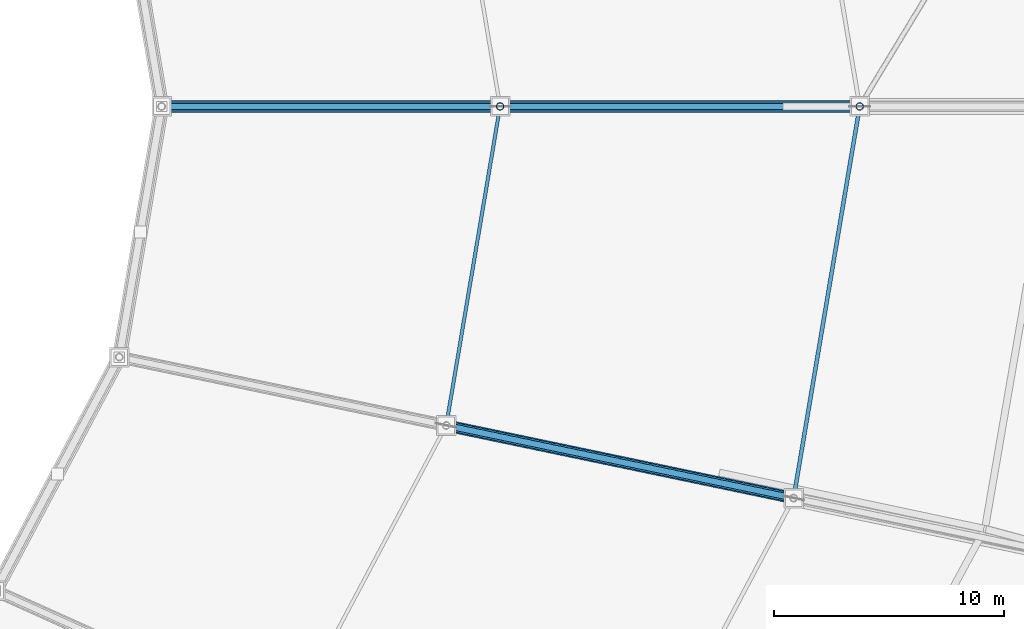
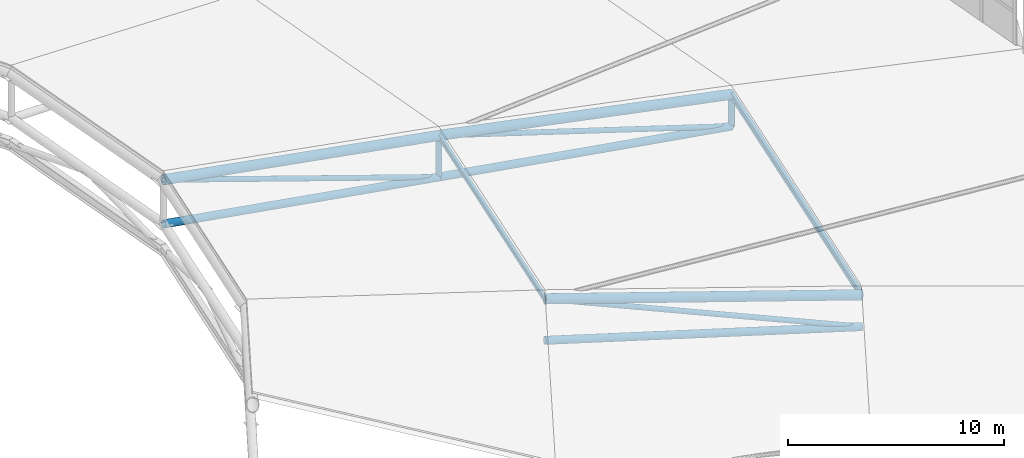
# One storey, part 50 of 115: 13 members.
"""IFC4 building model written with IfcOpenShell, lengths in metres."""

from ifc_helpers import new_model, si_unit, direction, frame, origin, origin_2d, place, context, subcontext, project, spatial, hollow_circle, i_section, extrude, material, material_profile, profile_set, type_object, element, save


model = new_model("IFC4")

# Units and contexts
model_context = context("Model", 3, precision=1e-05, world=origin(), true_north=direction((0.0, 1.0)))
body_context = subcontext(model_context, "Body", "Model", "MODEL_VIEW")
ifc_project = project(units=[si_unit("LENGTHUNIT", "METRE"), si_unit("AREAUNIT", "SQUARE_METRE"), si_unit("VOLUMEUNIT", "CUBIC_METRE"), si_unit("PLANEANGLEUNIT", "RADIAN"), si_unit("MASSUNIT", "GRAM", prefix="KILO")], contexts=[model_context])

# Site, building, storey
site_placement = place(None, origin())
site = spatial("IfcSite", under=ifc_project, at=site_placement, CompositionType="ELEMENT")
building_placement = place(site_placement, origin())
building = spatial("IfcBuilding", under=site, at=building_placement, Name="Zlatoyarsky Gate Stadium", CompositionType="ELEMENT")
storey_placement = place(building_placement, frame((0.0, 0.0, 31.800048828125)))
storey = spatial("IfcBuildingStorey", under=building, at=storey_placement, Name="RF", CompositionType="ELEMENT", Elevation=31.800048828125)

# Members
ifc_material = material(Name="Steel S355", Category="steel")
ifc_material_profile_1 = material_profile(ifc_material, hollow_circle(Radius=0.203125, WallThickness=0.02001953125, at=origin_2d()), Name="CHS 406.4X20")
ifc_profile_set_1 = profile_set([ifc_material_profile_1], Name="Steel S355")
member_type_1 = type_object("IfcMemberType", Name="STEEL ARCH INNER CHORD CHS 406.4X20", PredefinedType="CHORD", material=ifc_profile_set_1)
member_1_placement = place(storey_placement, frame((195.38330078125, 80.0, 1.349853515625), z_axis=(-0.98646829902, 0.0, 0.163952111996), x_axis=(0.0, -1.0, 0.0)))
element("IfcMember", 1, at=member_1_placement, inside=storey, type_object=member_type_1, Name="Radial truss R01 bottom chord 2", PredefinedType="CHORD", context=body_context, shape_type="SweptSolid", body=[
    extrude(hollow_circle(Radius=0.203125, WallThickness=0.02001953125, at=origin_2d()), origin(), (0.0, 0.0, 1.0), 15.85888671875),
])
member_2_placement = place(storey_placement, frame((179.739013671875, 80.0, 3.949951171875), z_axis=(-0.98589012796, 0.0, 0.167393714314), x_axis=(0.0, -1.0, 0.0)))
element("IfcMember", 2, at=member_2_placement, inside=storey, type_object=member_type_1, Name="Radial truss R01 bottom chord 3", PredefinedType="CHORD", context=body_context, shape_type="SweptSolid", body=[
    extrude(hollow_circle(Radius=0.203125, WallThickness=0.02001953125, at=origin_2d()), origin(), (0.0, 0.0, 1.0), 14.934814453125),
])
member_3_placement = place(storey_placement, frame((192.508056640625, 62.96337890625, 1.349853515625), z_axis=(-0.965249914484, 0.201764304536, 0.166083617508), x_axis=(-0.204605938681, -0.978844425768, 0.0)))
element("IfcMember", 3, at=member_3_placement, inside=storey, type_object=member_type_1, Name="Radial truss R24 bottom chord 2", PredefinedType="CHORD", context=body_context, shape_type="SweptSolid", body=[
    extrude(hollow_circle(Radius=0.203125, WallThickness=0.02001953125, at=origin_2d()), origin(), (0.0, 0.0, 1.0), 15.6552734375),
])
ifc_material_profile_2 = material_profile(ifc_material, hollow_circle(Radius=0.25390625, WallThickness=0.02490234375, at=origin_2d()), Name="CHS 508X25")
ifc_profile_set_2 = profile_set([ifc_material_profile_2], Name="Steel S355")
member_type_2 = type_object("IfcMemberType", Name="STEEL ARCH TOP CHORD CHS 508X25", PredefinedType="CHORD", material=ifc_profile_set_2)
member_4_placement = place(storey_placement, frame((195.38330078125, 80.0, 3.14990234375), z_axis=(-0.980323289815, 0.0, 0.197398701735), x_axis=(0.0, -1.0, 0.0)))
element("IfcMember", 4, at=member_4_placement, inside=storey, type_object=member_type_2, Name="Radial truss R01 top chord 2", PredefinedType="CHORD", context=body_context, shape_type="SweptSolid", body=[
    extrude(hollow_circle(Radius=0.25390625, WallThickness=0.02490234375, at=origin_2d()), origin(), (0.0, 0.0, 1.0), 15.958251953125),
])
member_5_placement = place(storey_placement, frame((179.739013671875, 80.0, 6.300048828125), z_axis=(-0.98418844493, 0.0, 0.177124546199), x_axis=(0.0, -1.0, 0.0)))
element("IfcMember", 5, at=member_5_placement, inside=storey, type_object=member_type_2, Name="Radial truss R01 top chord 3", PredefinedType="CHORD", context=body_context, shape_type="SweptSolid", body=[
    extrude(hollow_circle(Radius=0.25390625, WallThickness=0.02490234375, at=origin_2d()), origin(), (0.0, 0.0, 1.0), 14.960693359375),
])
member_6_placement = place(storey_placement, frame((192.508056640625, 62.96337890625, 3.14990234375), z_axis=(-0.959081226952, 0.200474875829, 0.199932549298), x_axis=(-0.204605938681, -0.978844425768, 0.0)))
element("IfcMember", 6, at=member_6_placement, inside=storey, type_object=member_type_2, Name="Radial truss R24 top chord 2", PredefinedType="CHORD", context=body_context, shape_type="SweptSolid", body=[
    extrude(hollow_circle(Radius=0.25390625, WallThickness=0.02490234375, at=origin_2d()), origin(), (0.0, 0.0, 1.0), 15.756103515625),
])
ifc_material_profile_3 = material_profile(ifc_material, i_section(OverallWidth=0.14990234375, OverallDepth=0.300048828125, WebThickness=0.007080078125, FlangeThickness=0.0107421875, FilletRadius=0.014892578125, at=origin_2d()), Name="IPE 300")
ifc_profile_set_3 = profile_set([ifc_material_profile_3], Name="Steel S355")
member_type_3 = type_object("IfcMemberType", Name="STEEL BOWL ROOF PURLIN IPE 300", PredefinedType="PURLIN", material=ifc_profile_set_3)
member_7_placement = place(storey_placement, frame((177.396728515625, 66.1220703125, 6.329833984375), z_axis=(0.166423982052, 0.986054287653, 0.0), x_axis=(-0.986054287653, 0.166423982052, 0.0)))
element("IfcMember", 7, at=member_7_placement, inside=storey, type_object=member_type_3, Name="Stadium roof purlin 23.2", PredefinedType="PURLIN", context=body_context, shape_type="SweptSolid", body=[
    extrude(i_section(OverallWidth=0.14990234375, OverallDepth=0.300048828125, WebThickness=0.007080078125, FlangeThickness=0.0107421875, FilletRadius=0.014892578125, at=origin_2d()), origin(), (0.0, 0.0, 1.0), 14.07421875),
])
ifc_material_profile_4 = material_profile(ifc_material, i_section(OverallWidth=0.169921875, OverallDepth=0.360107421875, WebThickness=0.008056640625, FlangeThickness=0.0126953125, FilletRadius=0.01806640625, at=origin_2d()), Name="IPE 360")
ifc_profile_set_4 = profile_set([ifc_material_profile_4], Name="Steel S355")
member_type_4 = type_object("IfcMemberType", Name="STEEL LONG SPAN PURLIN IPE 360", PredefinedType="PURLIN", material=ifc_profile_set_4)
member_8_placement = place(storey_placement, frame((192.508056640625, 62.96337890625, 3.179931640625), z_axis=(0.166415106853, 0.986055785547, 0.0), x_axis=(-0.986055785547, 0.166415106853, 0.0)))
element("IfcMember", 8, at=member_8_placement, inside=storey, type_object=member_type_4, Name="Stadium roof purlin 23.1", PredefinedType="PURLIN", context=body_context, shape_type="SweptSolid", body=[
    extrude(i_section(OverallWidth=0.169921875, OverallDepth=0.360107421875, WebThickness=0.008056640625, FlangeThickness=0.0126953125, FilletRadius=0.01806640625, at=origin_2d()), origin(), (0.0, 0.0, 1.0), 17.277587890625),
])
ifc_material_profile_5 = material_profile(ifc_material, hollow_circle(Radius=0.136474609375, WallThickness=0.01611328125, at=origin_2d()), Name="CHS 273X16")
ifc_profile_set_5 = profile_set([ifc_material_profile_5], Name="Steel S355")
member_type_5 = type_object("IfcMemberType", Name="STEEL ROOF TRUSS DIAGONAL CHS 273X16", PredefinedType="BRACE", material=ifc_profile_set_5)
member_9_placement = place(storey_placement, frame((195.38330078125, 80.0, 1.349853515625), z_axis=(-0.953409360428, 0.0, 0.301679617223), x_axis=(0.0, -1.0, 0.0)))
element("IfcMember", 9, at=member_9_placement, inside=storey, type_object=member_type_5, Name="Radial truss R01 web diagonal 2", PredefinedType="BRACE", context=body_context, shape_type="SweptSolid", body=[
    extrude(hollow_circle(Radius=0.136474609375, WallThickness=0.01611328125, at=origin_2d()), origin(), (0.0, 0.0, 1.0), 16.40869140625),
])
member_10_placement = place(storey_placement, frame((179.739013671875, 80.0, 3.949951171875), z_axis=(-0.946894216505, 0.0, 0.321545242149), x_axis=(0.0, -1.0, 0.0)))
element("IfcMember", 10, at=member_10_placement, inside=storey, type_object=member_type_5, Name="Radial truss R01 web diagonal 3", PredefinedType="BRACE", context=body_context, shape_type="SweptSolid", body=[
    extrude(hollow_circle(Radius=0.136474609375, WallThickness=0.01611328125, at=origin_2d()), origin(), (0.0, 0.0, 1.0), 15.5498046875),
])
member_11_placement = place(storey_placement, frame((192.508056640625, 62.96337890625, 1.349853515625), z_axis=(-0.932098612224, 0.194834752568, 0.305338494595), x_axis=(-0.204605938681, -0.978844425768, 0.0)))
element("IfcMember", 11, at=member_11_placement, inside=storey, type_object=member_type_5, Name="Radial truss R24 web diagonal 2", PredefinedType="BRACE", context=body_context, shape_type="SweptSolid", body=[
    extrude(hollow_circle(Radius=0.136474609375, WallThickness=0.01611328125, at=origin_2d()), origin(), (0.0, 0.0, 1.0), 16.212158203125),
])
ifc_material_profile_6 = material_profile(ifc_material, hollow_circle(Radius=0.161865234375, WallThickness=0.01611328125, at=origin_2d()), Name="CHS 323.9X16")
ifc_profile_set_6 = profile_set([ifc_material_profile_6], Name="Steel S355")
member_type_6 = type_object("IfcMemberType", Name="STEEL TRUSS WEB STRUT CHS 323.9X16", PredefinedType="STRUT", material=ifc_profile_set_6)
member_12_placement = place(storey_placement, frame((195.38330078125, 80.0, 1.349853515625), z_axis=(0.0, 0.0, 1.0), x_axis=(1.0, 0.0, 0.0)))
element("IfcMember", 12, at=member_12_placement, inside=storey, type_object=member_type_6, Name="Radial truss R01 web strut 1", PredefinedType="STRUT", context=body_context, shape_type="SweptSolid", body=[
    extrude(hollow_circle(Radius=0.161865234375, WallThickness=0.01611328125, at=origin_2d()), origin(), (0.0, 0.0, 1.0), 1.800048828125),
])
member_13_placement = place(storey_placement, frame((179.739013671875, 80.0, 3.949951171875), z_axis=(0.0, 0.0, 1.0), x_axis=(1.0, 0.0, 0.0)))
element("IfcMember", 13, at=member_13_placement, inside=storey, type_object=member_type_6, Name="Radial truss R01 web strut 2", PredefinedType="STRUT", context=body_context, shape_type="SweptSolid", body=[
    extrude(hollow_circle(Radius=0.161865234375, WallThickness=0.01611328125, at=origin_2d()), origin(), (0.0, 0.0, 1.0), 2.35009765625),
])

save(model, "model.ifc")
